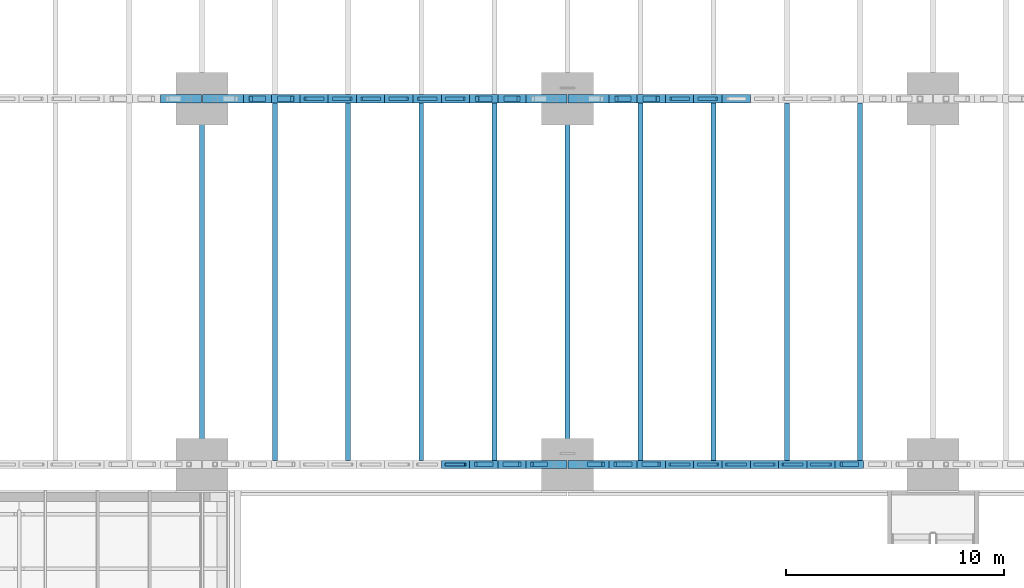
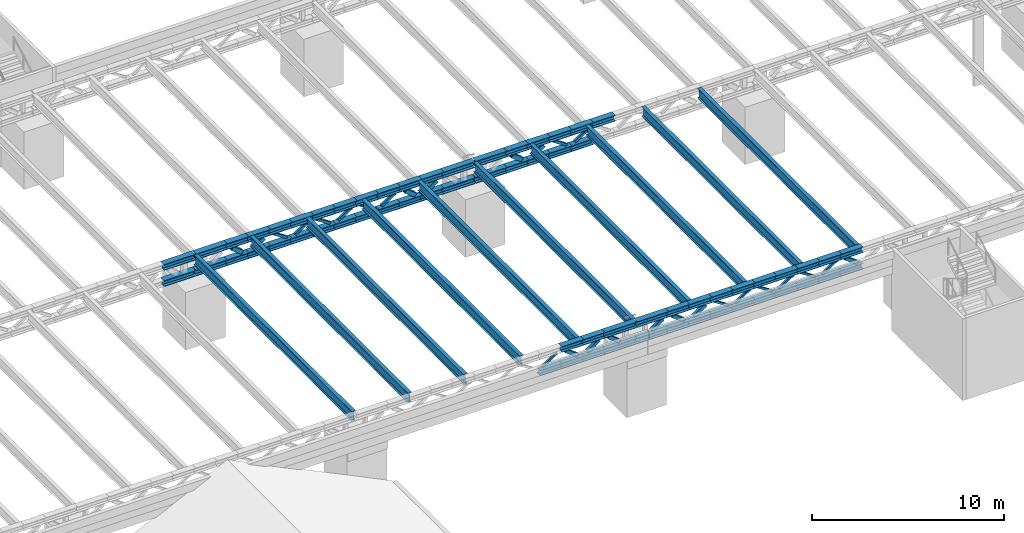
# One storey, part 24 of 93: 92 members, 10 beams.
"""IFC4 building model written with IfcOpenShell, lengths in metres."""

from ifc_helpers import new_model, si_unit, direction, frame, origin, origin_2d, place, context, subcontext, project, spatial, hollow_rectangle, i_section, extrude, material, material_profile, profile_set, type_object, element, save


model = new_model("IFC4")

# Units and contexts
model_context = context("Model", 3, precision=1e-05, world=origin(), true_north=direction((0.0, 1.0)))
body_context = subcontext(model_context, "Body", "Model", "MODEL_VIEW")
ifc_project = project(units=[si_unit("LENGTHUNIT", "METRE"), si_unit("AREAUNIT", "SQUARE_METRE"), si_unit("VOLUMEUNIT", "CUBIC_METRE"), si_unit("PLANEANGLEUNIT", "RADIAN"), si_unit("MASSUNIT", "GRAM", prefix="KILO")], contexts=[model_context])

# Site, building, storey
site_placement = place(None, origin())
site = spatial("IfcSite", under=ifc_project, at=site_placement, CompositionType="ELEMENT")
building_placement = place(site_placement, origin())
building = spatial("IfcBuilding", under=site, at=building_placement, Name="Verrick Yard Athletic Hall", CompositionType="ELEMENT")
storey_placement = place(building_placement, frame((0.0, 0.0, 8.800048828125)))
storey = spatial("IfcBuildingStorey", under=building, at=storey_placement, Name="L02", CompositionType="ELEMENT", Elevation=8.800048828125)

# Members
ifc_material_1 = material(Name="Structural steel 350W (CSA G40.21)", Category="steel")
ifc_material_profile_1 = material_profile(ifc_material_1, i_section(OverallWidth=0.368896484375, OverallDepth=0.35595703125, WebThickness=0.01123046875, FlangeThickness=0.01806640625, at=origin_2d()), Name="W360x134")
ifc_profile_set_1 = profile_set([ifc_material_profile_1], Name="Structural steel 350W (CSA G40.21)")
member_type_1 = type_object("IfcMemberType", Name="STR Edge truss bottom chord W360x134", PredefinedType="CHORD", material=ifc_profile_set_1)
for number, where, z_axis, x_axis, name in (
    (1, (118.199951171875, 19.199951171875, 3.827880859375), (1.0, 0.0, 0.0), (0.0, 1.0, 0.0), "STR-BC-GA5-9"),
    (2, (119.5, 19.199951171875, 3.827880859375), (1.0, 0.0, 0.0), (0.0, 1.0, 0.0), "STR-BC-GA5-10"),
    (3, (120.800048828125, 19.199951171875, 3.827880859375), (1.0, 0.0, 0.0), (0.0, 1.0, 0.0), "STR-BC-GA5-11"),
):
    element("IfcMember", number, at=place(storey_placement, frame(where, z_axis=z_axis, x_axis=x_axis)), inside=storey, type_object=member_type_1, Name=name, PredefinedType="CHORD", context=body_context, shape_type="SweptSolid", body=[
        extrude(i_section(OverallWidth=0.368896484375, OverallDepth=0.35595703125, WebThickness=0.01123046875, FlangeThickness=0.01806640625, at=origin_2d()), origin(), (0.0, 0.0, 1.0), 1.300048828125),
    ])
for number, where, z_axis, x_axis, name in (
    (4, (122.10009765625, 19.199951171875, 3.827880859375), (1.0, 0.0, 0.0), (0.0, 1.0, 0.0), "STR-BC-GA5-12"),
    (5, (124.02490234375, 19.199951171875, 3.827880859375), (1.0, 0.0, 0.0), (0.0, 1.0, 0.0), "STR-BC-GA6-1"),
):
    element("IfcMember", number, at=place(storey_placement, frame(where, z_axis=z_axis, x_axis=x_axis)), inside=storey, type_object=member_type_1, Name=name, PredefinedType="CHORD", context=body_context, shape_type="SweptSolid", body=[
        extrude(i_section(OverallWidth=0.368896484375, OverallDepth=0.35595703125, WebThickness=0.01123046875, FlangeThickness=0.01806640625, at=origin_2d()), origin(), (0.0, 0.0, 1.0), 1.875),
    ])
for number, where, z_axis, x_axis, name in (
    (6, (125.89990234375, 19.199951171875, 3.827880859375), (1.0, 0.0, 0.0), (0.0, 1.0, 0.0), "STR-BC-GA6-2"),
    (7, (127.199951171875, 19.199951171875, 3.827880859375), (1.0, 0.0, 0.0), (0.0, 1.0, 0.0), "STR-BC-GA6-3"),
    (8, (128.5, 19.199951171875, 3.827880859375), (1.0, 0.0, 0.0), (0.0, 1.0, 0.0), "STR-BC-GA6-4"),
    (9, (129.800048828125, 19.199951171875, 3.827880859375), (1.0, 0.0, 0.0), (0.0, 1.0, 0.0), "STR-BC-GA6-5"),
):
    element("IfcMember", number, at=place(storey_placement, frame(where, z_axis=z_axis, x_axis=x_axis)), inside=storey, type_object=member_type_1, Name=name, PredefinedType="CHORD", context=body_context, shape_type="SweptSolid", body=[
        extrude(i_section(OverallWidth=0.368896484375, OverallDepth=0.35595703125, WebThickness=0.01123046875, FlangeThickness=0.01806640625, at=origin_2d()), origin(), (0.0, 0.0, 1.0), 1.300048828125),
    ])
member_1_placement = place(storey_placement, frame((131.10009765625, 19.199951171875, 3.827880859375), z_axis=(1.0, 0.0, 0.0), x_axis=(0.0, 1.0, 0.0)))
element("IfcMember", 10, at=member_1_placement, inside=storey, type_object=member_type_1, Name="STR-BC-GA6-6", PredefinedType="CHORD", context=body_context, shape_type="SweptSolid", body=[
    extrude(i_section(OverallWidth=0.368896484375, OverallDepth=0.35595703125, WebThickness=0.01123046875, FlangeThickness=0.01806640625, at=origin_2d()), origin(), (0.0, 0.0, 1.0), 1.2998046875),
])
for number, where, z_axis, x_axis, name in (
    (11, (132.39990234375, 19.199951171875, 3.827880859375), (1.0, 0.0, 0.0), (0.0, 1.0, 0.0), "STR-BC-GA6-7"),
    (12, (133.699951171875, 19.199951171875, 3.827880859375), (1.0, 0.0, 0.0), (0.0, 1.0, 0.0), "STR-BC-GA6-8"),
    (13, (135.0, 19.199951171875, 3.827880859375), (1.0, 0.0, 0.0), (0.0, 1.0, 0.0), "STR-BC-GA6-9"),
    (14, (136.300048828125, 19.199951171875, 3.827880859375), (1.0, 0.0, 0.0), (0.0, 1.0, 0.0), "STR-BC-GA6-10"),
):
    element("IfcMember", number, at=place(storey_placement, frame(where, z_axis=z_axis, x_axis=x_axis)), inside=storey, type_object=member_type_1, Name=name, PredefinedType="CHORD", context=body_context, shape_type="SweptSolid", body=[
        extrude(i_section(OverallWidth=0.368896484375, OverallDepth=0.35595703125, WebThickness=0.01123046875, FlangeThickness=0.01806640625, at=origin_2d()), origin(), (0.0, 0.0, 1.0), 1.300048828125),
    ])
ifc_material_profile_2 = material_profile(ifc_material_1, i_section(OverallWidth=0.368896484375, OverallDepth=0.35595703125, WebThickness=0.01123046875, FlangeThickness=0.01806640625, at=origin_2d()), Name="W360x134")
ifc_profile_set_2 = profile_set([ifc_material_profile_2], Name="Structural steel 350W (CSA G40.21)")
member_type_2 = type_object("IfcMemberType", Name="STR Edge truss top chord W360x134", PredefinedType="CHORD", material=ifc_profile_set_2)
for number, where, z_axis, x_axis, name in (
    (15, (119.5, 19.199951171875, 4.8720703125), (1.0, 0.0, 0.0), (0.0, 1.0, 0.0), "STR-TC-GA5-10"),
    (16, (120.800048828125, 19.199951171875, 4.8720703125), (1.0, 0.0, 0.0), (0.0, 1.0, 0.0), "STR-TC-GA5-11"),
):
    element("IfcMember", number, at=place(storey_placement, frame(where, z_axis=z_axis, x_axis=x_axis)), inside=storey, type_object=member_type_2, Name=name, PredefinedType="CHORD", context=body_context, shape_type="SweptSolid", body=[
        extrude(i_section(OverallWidth=0.368896484375, OverallDepth=0.35595703125, WebThickness=0.01123046875, FlangeThickness=0.01806640625, at=origin_2d()), origin(), (0.0, 0.0, 1.0), 1.300048828125),
    ])
for number, where, z_axis, x_axis, name in (
    (17, (122.10009765625, 19.199951171875, 4.8720703125), (1.0, 0.0, 0.0), (0.0, 1.0, 0.0), "STR-TC-GA5-12"),
    (18, (124.02490234375, 19.199951171875, 4.8720703125), (1.0, 0.0, 0.0), (0.0, 1.0, 0.0), "STR-TC-GA6-1"),
):
    element("IfcMember", number, at=place(storey_placement, frame(where, z_axis=z_axis, x_axis=x_axis)), inside=storey, type_object=member_type_2, Name=name, PredefinedType="CHORD", context=body_context, shape_type="SweptSolid", body=[
        extrude(i_section(OverallWidth=0.368896484375, OverallDepth=0.35595703125, WebThickness=0.01123046875, FlangeThickness=0.01806640625, at=origin_2d()), origin(), (0.0, 0.0, 1.0), 1.875),
    ])
for number, where, z_axis, x_axis, name in (
    (19, (125.89990234375, 19.199951171875, 4.8720703125), (1.0, 0.0, 0.0), (0.0, 1.0, 0.0), "STR-TC-GA6-2"),
    (20, (127.199951171875, 19.199951171875, 4.8720703125), (1.0, 0.0, 0.0), (0.0, 1.0, 0.0), "STR-TC-GA6-3"),
    (21, (128.5, 19.199951171875, 4.8720703125), (1.0, 0.0, 0.0), (0.0, 1.0, 0.0), "STR-TC-GA6-4"),
    (22, (129.800048828125, 19.199951171875, 4.8720703125), (1.0, 0.0, 0.0), (0.0, 1.0, 0.0), "STR-TC-GA6-5"),
):
    element("IfcMember", number, at=place(storey_placement, frame(where, z_axis=z_axis, x_axis=x_axis)), inside=storey, type_object=member_type_2, Name=name, PredefinedType="CHORD", context=body_context, shape_type="SweptSolid", body=[
        extrude(i_section(OverallWidth=0.368896484375, OverallDepth=0.35595703125, WebThickness=0.01123046875, FlangeThickness=0.01806640625, at=origin_2d()), origin(), (0.0, 0.0, 1.0), 1.300048828125),
    ])
member_2_placement = place(storey_placement, frame((131.10009765625, 19.199951171875, 4.8720703125), z_axis=(1.0, 0.0, 0.0), x_axis=(0.0, 1.0, 0.0)))
element("IfcMember", 23, at=member_2_placement, inside=storey, type_object=member_type_2, Name="STR-TC-GA6-6", PredefinedType="CHORD", context=body_context, shape_type="SweptSolid", body=[
    extrude(i_section(OverallWidth=0.368896484375, OverallDepth=0.35595703125, WebThickness=0.01123046875, FlangeThickness=0.01806640625, at=origin_2d()), origin(), (0.0, 0.0, 1.0), 1.2998046875),
])
for number, where, z_axis, x_axis, name in (
    (24, (132.39990234375, 19.199951171875, 4.8720703125), (1.0, 0.0, 0.0), (0.0, 1.0, 0.0), "STR-TC-GA6-7"),
    (25, (133.699951171875, 19.199951171875, 4.8720703125), (1.0, 0.0, 0.0), (0.0, 1.0, 0.0), "STR-TC-GA6-8"),
    (26, (135.0, 19.199951171875, 4.8720703125), (1.0, 0.0, 0.0), (0.0, 1.0, 0.0), "STR-TC-GA6-9"),
    (27, (136.300048828125, 19.199951171875, 4.8720703125), (1.0, 0.0, 0.0), (0.0, 1.0, 0.0), "STR-TC-GA6-10"),
):
    element("IfcMember", number, at=place(storey_placement, frame(where, z_axis=z_axis, x_axis=x_axis)), inside=storey, type_object=member_type_2, Name=name, PredefinedType="CHORD", context=body_context, shape_type="SweptSolid", body=[
        extrude(i_section(OverallWidth=0.368896484375, OverallDepth=0.35595703125, WebThickness=0.01123046875, FlangeThickness=0.01806640625, at=origin_2d()), origin(), (0.0, 0.0, 1.0), 1.300048828125),
    ])
ifc_material_2 = material(Name="Structural steel HSS Class C 350W (CSA G40.20/G40.21)", Category="steel")
ifc_material_profile_3 = material_profile(ifc_material_2, hollow_rectangle(XDim=0.126953125, YDim=0.126953125, WallThickness=0.009521484375, at=origin_2d()), Name="HSS127x127x9.5")
ifc_profile_set_3 = profile_set([ifc_material_profile_3], Name="Structural steel HSS Class C 350W (CSA G40.20/G40.21)")
member_type_3 = type_object("IfcMemberType", Name="STR Edge truss web HSS127x127x9.5", PredefinedType="BRACE", material=ifc_profile_set_3)
for number, where, z_axis, x_axis, name in (
    (28, (118.40234375, 19.199951171875, 4.05859375), (0.838083139624, 0.0, 0.54554252912), (0.0, 1.0, 0.0), "STR-TW-GA5-9"),
    (29, (128.702392578125, 19.199951171875, 4.641357421875), (0.838083139624, 0.0, -0.54554252912), (0.0, 1.0, 0.0), "STR-TW-GA6-4"),
    (30, (130.00244140625, 19.199951171875, 4.05859375), (0.838083139624, 0.0, 0.54554252912), (0.0, 1.0, 0.0), "STR-TW-GA6-5"),
):
    element("IfcMember", number, at=place(storey_placement, frame(where, z_axis=z_axis, x_axis=x_axis)), inside=storey, type_object=member_type_3, Name=name, PredefinedType="BRACE", context=body_context, shape_type="SweptSolid", body=[
        extrude(hollow_rectangle(XDim=0.126953125, YDim=0.126953125, WallThickness=0.009521484375, at=origin_2d()), origin(), (0.0, 0.0, 1.0), 1.068115234375),
    ])
member_3_placement = place(storey_placement, frame((131.30224609375, 19.199951171875, 4.641357421875), z_axis=(0.838151139583, 0.0, -0.545438050759), x_axis=(0.0, 1.0, 0.0)))
element("IfcMember", 31, at=member_3_placement, inside=storey, type_object=member_type_3, Name="STR-TW-GA6-6", PredefinedType="BRACE", context=body_context, shape_type="SweptSolid", body=[
    extrude(hollow_rectangle(XDim=0.126953125, YDim=0.126953125, WallThickness=0.009521484375, at=origin_2d()), origin(), (0.0, 0.0, 1.0), 1.068359375),
])
for number, where, z_axis, x_axis, name in (
    (32, (132.602294921875, 19.199951171875, 4.05859375), (0.838083139624, 0.0, 0.54554252912), (0.0, 1.0, 0.0), "STR-TW-GA6-7"),
    (33, (133.90234375, 19.199951171875, 4.641357421875), (0.838083139624, 0.0, -0.54554252912), (0.0, 1.0, 0.0), "STR-TW-GA6-8"),
    (34, (135.202392578125, 19.199951171875, 4.05859375), (0.838083139624, 0.0, 0.54554252912), (0.0, 1.0, 0.0), "STR-TW-GA6-9"),
):
    element("IfcMember", number, at=place(storey_placement, frame(where, z_axis=z_axis, x_axis=x_axis)), inside=storey, type_object=member_type_3, Name=name, PredefinedType="BRACE", context=body_context, shape_type="SweptSolid", body=[
        extrude(hollow_rectangle(XDim=0.126953125, YDim=0.126953125, WallThickness=0.009521484375, at=origin_2d()), origin(), (0.0, 0.0, 1.0), 1.068115234375),
    ])
ifc_material_profile_4 = material_profile(ifc_material_2, hollow_rectangle(XDim=0.203125, YDim=0.203125, WallThickness=0.0126953125, at=origin_2d()), Name="HSS203x203x13")
ifc_profile_set_4 = profile_set([ifc_material_profile_4], Name="Structural steel HSS Class C 350W (CSA G40.20/G40.21)")
member_type_4 = type_object("IfcMemberType", Name="STR Edge truss web HSS203x203x13", PredefinedType="BRACE", material=ifc_profile_set_4)
member_4_placement = place(storey_placement, frame((119.78955078125, 19.199951171875, 4.6123046875), z_axis=(0.808428172865, 0.0, -0.588594843095), x_axis=(0.0, 1.0, 0.0)))
element("IfcMember", 35, at=member_4_placement, inside=storey, type_object=member_type_4, Name="STR-TW-GA5-10", PredefinedType="BRACE", context=body_context, shape_type="SweptSolid", body=[
    extrude(hollow_rectangle(XDim=0.203125, YDim=0.203125, WallThickness=0.0126953125, at=origin_2d()), origin(), (0.0, 0.0, 1.0), 0.891845703125),
])
member_5_placement = place(storey_placement, frame((121.089599609375, 19.199951171875, 4.08740234375), z_axis=(0.808333297144, 0.0, 0.588725131728), x_axis=(0.0, 1.0, 0.0)))
element("IfcMember", 36, at=member_5_placement, inside=storey, type_object=member_type_4, Name="STR-TW-GA5-11", PredefinedType="BRACE", context=body_context, shape_type="SweptSolid", body=[
    extrude(hollow_rectangle(XDim=0.203125, YDim=0.203125, WallThickness=0.0126953125, at=origin_2d()), origin(), (0.0, 0.0, 1.0), 0.8916015625),
])
for number, where, z_axis, x_axis, name in (
    (37, (122.36572265625, 19.199951171875, 4.615234375), (0.780391329508, 0.0, -0.625291430318), (0.0, 1.0, 0.0), "STR-TW-GA5-12"),
    (38, (124.97216796875, 19.199951171875, 4.084716796875), (0.780391329508, 0.0, 0.625291430318), (0.0, 1.0, 0.0), "STR-TW-GA6-1"),
):
    element("IfcMember", number, at=place(storey_placement, frame(where, z_axis=z_axis, x_axis=x_axis)), inside=storey, type_object=member_type_4, Name=name, PredefinedType="BRACE", context=body_context, shape_type="SweptSolid", body=[
        extrude(hollow_rectangle(XDim=0.203125, YDim=0.203125, WallThickness=0.0126953125, at=origin_2d()), origin(), (0.0, 0.0, 1.0), 0.848388671875),
    ])
member_6_placement = place(storey_placement, frame((126.189697265625, 19.199951171875, 4.6123046875), z_axis=(0.808333297144, 0.0, -0.588725131728), x_axis=(0.0, 1.0, 0.0)))
element("IfcMember", 39, at=member_6_placement, inside=storey, type_object=member_type_4, Name="STR-TW-GA6-2", PredefinedType="BRACE", context=body_context, shape_type="SweptSolid", body=[
    extrude(hollow_rectangle(XDim=0.203125, YDim=0.203125, WallThickness=0.0126953125, at=origin_2d()), origin(), (0.0, 0.0, 1.0), 0.8916015625),
])
member_7_placement = place(storey_placement, frame((127.489501953125, 19.199951171875, 4.08740234375), z_axis=(0.808428172865, 0.0, 0.588594843095), x_axis=(0.0, 1.0, 0.0)))
element("IfcMember", 40, at=member_7_placement, inside=storey, type_object=member_type_4, Name="STR-TW-GA6-3", PredefinedType="BRACE", context=body_context, shape_type="SweptSolid", body=[
    extrude(hollow_rectangle(XDim=0.203125, YDim=0.203125, WallThickness=0.0126953125, at=origin_2d()), origin(), (0.0, 0.0, 1.0), 0.891845703125),
])
member_8_placement = place(storey_placement, frame((136.589599609375, 19.199951171875, 4.6123046875), z_axis=(0.808333297144, 0.0, -0.588725131728), x_axis=(0.0, 1.0, 0.0)))
element("IfcMember", 41, at=member_8_placement, inside=storey, type_object=member_type_4, Name="STR-TW-GA6-10", PredefinedType="BRACE", context=body_context, shape_type="SweptSolid", body=[
    extrude(hollow_rectangle(XDim=0.203125, YDim=0.203125, WallThickness=0.0126953125, at=origin_2d()), origin(), (0.0, 0.0, 1.0), 0.8916015625),
])

# Beams
ifc_material_profile_5 = material_profile(ifc_material_1, i_section(OverallWidth=0.22802734375, OverallDepth=0.60791015625, WebThickness=0.01123046875, FlangeThickness=0.017333984375, at=origin_2d()), Name="W610x113")
ifc_profile_set_5 = profile_set([ifc_material_profile_5], Name="Structural steel 350W (CSA G40.21)")
beam_type = type_object("IfcBeamType", Name="STR Secondary beam W610x113", PredefinedType="BEAM", material=ifc_profile_set_5)
for number, where, z_axis, x_axis, name in (
    (42, (110.56005859375, 19.384521484375, 4.745849609375), (0.0, 1.0, 0.0), (-1.0, 0.0, 0.0), "STR-SB-S151"),
    (43, (113.919921875, 19.384521484375, 4.745849609375), (0.0, 1.0, 0.0), (-1.0, 0.0, 0.0), "STR-SB-S152"),
    (44, (117.280029296875, 19.384521484375, 4.745849609375), (0.0, 1.0, 0.0), (-1.0, 0.0, 0.0), "STR-SB-S153"),
    (45, (120.639892578125, 19.384521484375, 4.745849609375), (0.0, 1.0, 0.0), (-1.0, 0.0, 0.0), "STR-SB-S154"),
    (46, (127.360107421875, 19.384521484375, 4.745849609375), (0.0, 1.0, 0.0), (-1.0, 0.0, 0.0), "STR-SB-S161"),
    (47, (130.719970703125, 19.384521484375, 4.745849609375), (0.0, 1.0, 0.0), (-1.0, 0.0, 0.0), "STR-SB-S162"),
    (48, (134.080078125, 19.384521484375, 4.745849609375), (0.0, 1.0, 0.0), (-1.0, 0.0, 0.0), "STR-SB-S163"),
    (49, (137.43994140625, 19.384521484375, 4.745849609375), (0.0, 1.0, 0.0), (-1.0, 0.0, 0.0), "STR-SB-S164"),
    (50, (107.199951171875, 19.384521484375, 4.745849609375), (0.0, 1.0, 0.0), (-1.0, 0.0, 0.0), "STR-SB-X5A"),
    (51, (124.0, 19.384521484375, 4.745849609375), (0.0, 1.0, 0.0), (-1.0, 0.0, 0.0), "STR-SB-X6A"),
):
    element("IfcBeam", number, at=place(storey_placement, frame(where, z_axis=z_axis, x_axis=x_axis)), inside=storey, type_object=beam_type, Name=name, PredefinedType="BEAM", context=body_context, shape_type="SweptSolid", body=[
        extrude(i_section(OverallWidth=0.22802734375, OverallDepth=0.60791015625, WebThickness=0.01123046875, FlangeThickness=0.017333984375, at=origin_2d()), origin(), (0.0, 0.0, 1.0), 16.428466796875),
    ])

# Members
ifc_material_profile_6 = material_profile(ifc_material_1, i_section(OverallWidth=0.3740234375, OverallDepth=0.3720703125, WebThickness=0.016357421875, FlangeThickness=0.026123046875, at=origin_2d()), Name="W360x196")
ifc_profile_set_6 = profile_set([ifc_material_profile_6], Name="Structural steel 350W (CSA G40.21)")
member_type_5 = type_object("IfcMemberType", Name="STR Truss bottom chord W360x196", PredefinedType="CHORD", material=ifc_profile_set_6)
for number, where, z_axis, x_axis, name in (
    (52, (105.300048828125, 36.0, 3.8359375), (1.0, 0.0, 0.0), (0.0, 1.0, 0.0), "STR-BC-GB4-12"),
    (53, (107.22509765625, 36.0, 3.8359375), (1.0, 0.0, 0.0), (0.0, 1.0, 0.0), "STR-BC-GB5-1"),
):
    element("IfcMember", number, at=place(storey_placement, frame(where, z_axis=z_axis, x_axis=x_axis)), inside=storey, type_object=member_type_5, Name=name, PredefinedType="CHORD", context=body_context, shape_type="SweptSolid", body=[
        extrude(i_section(OverallWidth=0.3740234375, OverallDepth=0.3720703125, WebThickness=0.016357421875, FlangeThickness=0.026123046875, at=origin_2d()), origin(), (0.0, 0.0, 1.0), 1.875),
    ])
member_9_placement = place(storey_placement, frame((109.10009765625, 36.0, 3.8359375), z_axis=(1.0, 0.0, 0.0), x_axis=(0.0, 1.0, 0.0)))
element("IfcMember", 54, at=member_9_placement, inside=storey, type_object=member_type_5, Name="STR-BC-GB5-2", PredefinedType="CHORD", context=body_context, shape_type="SweptSolid", body=[
    extrude(i_section(OverallWidth=0.3740234375, OverallDepth=0.3720703125, WebThickness=0.016357421875, FlangeThickness=0.026123046875, at=origin_2d()), origin(), (0.0, 0.0, 1.0), 1.2998046875),
])
for number, where, z_axis, x_axis, name in (
    (55, (110.39990234375, 36.0, 3.8359375), (1.0, 0.0, 0.0), (0.0, 1.0, 0.0), "STR-BC-GB5-3"),
    (56, (111.699951171875, 36.0, 3.8359375), (1.0, 0.0, 0.0), (0.0, 1.0, 0.0), "STR-BC-GB5-4"),
    (57, (113.0, 36.0, 3.8359375), (1.0, 0.0, 0.0), (0.0, 1.0, 0.0), "STR-BC-GB5-5"),
    (58, (114.300048828125, 36.0, 3.8359375), (1.0, 0.0, 0.0), (0.0, 1.0, 0.0), "STR-BC-GB5-6"),
):
    element("IfcMember", number, at=place(storey_placement, frame(where, z_axis=z_axis, x_axis=x_axis)), inside=storey, type_object=member_type_5, Name=name, PredefinedType="CHORD", context=body_context, shape_type="SweptSolid", body=[
        extrude(i_section(OverallWidth=0.3740234375, OverallDepth=0.3720703125, WebThickness=0.016357421875, FlangeThickness=0.026123046875, at=origin_2d()), origin(), (0.0, 0.0, 1.0), 1.300048828125),
    ])
member_10_placement = place(storey_placement, frame((115.60009765625, 36.0, 3.8359375), z_axis=(1.0, 0.0, 0.0), x_axis=(0.0, 1.0, 0.0)))
element("IfcMember", 59, at=member_10_placement, inside=storey, type_object=member_type_5, Name="STR-BC-GB5-7", PredefinedType="CHORD", context=body_context, shape_type="SweptSolid", body=[
    extrude(i_section(OverallWidth=0.3740234375, OverallDepth=0.3720703125, WebThickness=0.016357421875, FlangeThickness=0.026123046875, at=origin_2d()), origin(), (0.0, 0.0, 1.0), 1.2998046875),
])
for number, where, z_axis, x_axis, name in (
    (60, (116.89990234375, 36.0, 3.8359375), (1.0, 0.0, 0.0), (0.0, 1.0, 0.0), "STR-BC-GB5-8"),
    (61, (118.199951171875, 36.0, 3.8359375), (1.0, 0.0, 0.0), (0.0, 1.0, 0.0), "STR-BC-GB5-9"),
    (62, (119.5, 36.0, 3.8359375), (1.0, 0.0, 0.0), (0.0, 1.0, 0.0), "STR-BC-GB5-10"),
    (63, (120.800048828125, 36.0, 3.8359375), (1.0, 0.0, 0.0), (0.0, 1.0, 0.0), "STR-BC-GB5-11"),
):
    element("IfcMember", number, at=place(storey_placement, frame(where, z_axis=z_axis, x_axis=x_axis)), inside=storey, type_object=member_type_5, Name=name, PredefinedType="CHORD", context=body_context, shape_type="SweptSolid", body=[
        extrude(i_section(OverallWidth=0.3740234375, OverallDepth=0.3720703125, WebThickness=0.016357421875, FlangeThickness=0.026123046875, at=origin_2d()), origin(), (0.0, 0.0, 1.0), 1.300048828125),
    ])
for number, where, z_axis, x_axis, name in (
    (64, (122.10009765625, 36.0, 3.8359375), (1.0, 0.0, 0.0), (0.0, 1.0, 0.0), "STR-BC-GB5-12"),
    (65, (124.02490234375, 36.0, 3.8359375), (1.0, 0.0, 0.0), (0.0, 1.0, 0.0), "STR-BC-GB6-1"),
):
    element("IfcMember", number, at=place(storey_placement, frame(where, z_axis=z_axis, x_axis=x_axis)), inside=storey, type_object=member_type_5, Name=name, PredefinedType="CHORD", context=body_context, shape_type="SweptSolid", body=[
        extrude(i_section(OverallWidth=0.3740234375, OverallDepth=0.3720703125, WebThickness=0.016357421875, FlangeThickness=0.026123046875, at=origin_2d()), origin(), (0.0, 0.0, 1.0), 1.875),
    ])
for number, where, z_axis, x_axis, name in (
    (66, (125.89990234375, 36.0, 3.8359375), (1.0, 0.0, 0.0), (0.0, 1.0, 0.0), "STR-BC-GB6-2"),
    (67, (127.199951171875, 36.0, 3.8359375), (1.0, 0.0, 0.0), (0.0, 1.0, 0.0), "STR-BC-GB6-3"),
    (68, (128.5, 36.0, 3.8359375), (1.0, 0.0, 0.0), (0.0, 1.0, 0.0), "STR-BC-GB6-4"),
    (69, (129.800048828125, 36.0, 3.8359375), (1.0, 0.0, 0.0), (0.0, 1.0, 0.0), "STR-BC-GB6-5"),
):
    element("IfcMember", number, at=place(storey_placement, frame(where, z_axis=z_axis, x_axis=x_axis)), inside=storey, type_object=member_type_5, Name=name, PredefinedType="CHORD", context=body_context, shape_type="SweptSolid", body=[
        extrude(i_section(OverallWidth=0.3740234375, OverallDepth=0.3720703125, WebThickness=0.016357421875, FlangeThickness=0.026123046875, at=origin_2d()), origin(), (0.0, 0.0, 1.0), 1.300048828125),
    ])
ifc_material_profile_7 = material_profile(ifc_material_1, i_section(OverallWidth=0.3740234375, OverallDepth=0.3720703125, WebThickness=0.016357421875, FlangeThickness=0.026123046875, at=origin_2d()), Name="W360x196")
ifc_profile_set_7 = profile_set([ifc_material_profile_7], Name="Structural steel 350W (CSA G40.21)")
member_type_6 = type_object("IfcMemberType", Name="STR Truss top chord W360x196", PredefinedType="CHORD", material=ifc_profile_set_7)
for number, where, z_axis, x_axis, name in (
    (70, (105.300048828125, 36.0, 4.864013671875), (1.0, 0.0, 0.0), (0.0, 1.0, 0.0), "STR-TC-GB4-12"),
    (71, (107.22509765625, 36.0, 4.864013671875), (1.0, 0.0, 0.0), (0.0, 1.0, 0.0), "STR-TC-GB5-1"),
):
    element("IfcMember", number, at=place(storey_placement, frame(where, z_axis=z_axis, x_axis=x_axis)), inside=storey, type_object=member_type_6, Name=name, PredefinedType="CHORD", context=body_context, shape_type="SweptSolid", body=[
        extrude(i_section(OverallWidth=0.3740234375, OverallDepth=0.3720703125, WebThickness=0.016357421875, FlangeThickness=0.026123046875, at=origin_2d()), origin(), (0.0, 0.0, 1.0), 1.875),
    ])
member_11_placement = place(storey_placement, frame((109.10009765625, 36.0, 4.864013671875), z_axis=(1.0, 0.0, 0.0), x_axis=(0.0, 1.0, 0.0)))
element("IfcMember", 72, at=member_11_placement, inside=storey, type_object=member_type_6, Name="STR-TC-GB5-2", PredefinedType="CHORD", context=body_context, shape_type="SweptSolid", body=[
    extrude(i_section(OverallWidth=0.3740234375, OverallDepth=0.3720703125, WebThickness=0.016357421875, FlangeThickness=0.026123046875, at=origin_2d()), origin(), (0.0, 0.0, 1.0), 1.2998046875),
])
for number, where, z_axis, x_axis, name in (
    (73, (110.39990234375, 36.0, 4.864013671875), (1.0, 0.0, 0.0), (0.0, 1.0, 0.0), "STR-TC-GB5-3"),
    (74, (111.699951171875, 36.0, 4.864013671875), (1.0, 0.0, 0.0), (0.0, 1.0, 0.0), "STR-TC-GB5-4"),
    (75, (113.0, 36.0, 4.864013671875), (1.0, 0.0, 0.0), (0.0, 1.0, 0.0), "STR-TC-GB5-5"),
    (76, (114.300048828125, 36.0, 4.864013671875), (1.0, 0.0, 0.0), (0.0, 1.0, 0.0), "STR-TC-GB5-6"),
):
    element("IfcMember", number, at=place(storey_placement, frame(where, z_axis=z_axis, x_axis=x_axis)), inside=storey, type_object=member_type_6, Name=name, PredefinedType="CHORD", context=body_context, shape_type="SweptSolid", body=[
        extrude(i_section(OverallWidth=0.3740234375, OverallDepth=0.3720703125, WebThickness=0.016357421875, FlangeThickness=0.026123046875, at=origin_2d()), origin(), (0.0, 0.0, 1.0), 1.300048828125),
    ])
member_12_placement = place(storey_placement, frame((115.60009765625, 36.0, 4.864013671875), z_axis=(1.0, 0.0, 0.0), x_axis=(0.0, 1.0, 0.0)))
element("IfcMember", 77, at=member_12_placement, inside=storey, type_object=member_type_6, Name="STR-TC-GB5-7", PredefinedType="CHORD", context=body_context, shape_type="SweptSolid", body=[
    extrude(i_section(OverallWidth=0.3740234375, OverallDepth=0.3720703125, WebThickness=0.016357421875, FlangeThickness=0.026123046875, at=origin_2d()), origin(), (0.0, 0.0, 1.0), 1.2998046875),
])
for number, where, z_axis, x_axis, name in (
    (78, (116.89990234375, 36.0, 4.864013671875), (1.0, 0.0, 0.0), (0.0, 1.0, 0.0), "STR-TC-GB5-8"),
    (79, (118.199951171875, 36.0, 4.864013671875), (1.0, 0.0, 0.0), (0.0, 1.0, 0.0), "STR-TC-GB5-9"),
    (80, (119.5, 36.0, 4.864013671875), (1.0, 0.0, 0.0), (0.0, 1.0, 0.0), "STR-TC-GB5-10"),
    (81, (120.800048828125, 36.0, 4.864013671875), (1.0, 0.0, 0.0), (0.0, 1.0, 0.0), "STR-TC-GB5-11"),
):
    element("IfcMember", number, at=place(storey_placement, frame(where, z_axis=z_axis, x_axis=x_axis)), inside=storey, type_object=member_type_6, Name=name, PredefinedType="CHORD", context=body_context, shape_type="SweptSolid", body=[
        extrude(i_section(OverallWidth=0.3740234375, OverallDepth=0.3720703125, WebThickness=0.016357421875, FlangeThickness=0.026123046875, at=origin_2d()), origin(), (0.0, 0.0, 1.0), 1.300048828125),
    ])
for number, where, z_axis, x_axis, name in (
    (82, (122.10009765625, 36.0, 4.864013671875), (1.0, 0.0, 0.0), (0.0, 1.0, 0.0), "STR-TC-GB5-12"),
    (83, (124.02490234375, 36.0, 4.864013671875), (1.0, 0.0, 0.0), (0.0, 1.0, 0.0), "STR-TC-GB6-1"),
):
    element("IfcMember", number, at=place(storey_placement, frame(where, z_axis=z_axis, x_axis=x_axis)), inside=storey, type_object=member_type_6, Name=name, PredefinedType="CHORD", context=body_context, shape_type="SweptSolid", body=[
        extrude(i_section(OverallWidth=0.3740234375, OverallDepth=0.3720703125, WebThickness=0.016357421875, FlangeThickness=0.026123046875, at=origin_2d()), origin(), (0.0, 0.0, 1.0), 1.875),
    ])
for number, where, z_axis, x_axis, name in (
    (84, (125.89990234375, 36.0, 4.864013671875), (1.0, 0.0, 0.0), (0.0, 1.0, 0.0), "STR-TC-GB6-2"),
    (85, (127.199951171875, 36.0, 4.864013671875), (1.0, 0.0, 0.0), (0.0, 1.0, 0.0), "STR-TC-GB6-3"),
    (86, (128.5, 36.0, 4.864013671875), (1.0, 0.0, 0.0), (0.0, 1.0, 0.0), "STR-TC-GB6-4"),
    (87, (129.800048828125, 36.0, 4.864013671875), (1.0, 0.0, 0.0), (0.0, 1.0, 0.0), "STR-TC-GB6-5"),
):
    element("IfcMember", number, at=place(storey_placement, frame(where, z_axis=z_axis, x_axis=x_axis)), inside=storey, type_object=member_type_6, Name=name, PredefinedType="CHORD", context=body_context, shape_type="SweptSolid", body=[
        extrude(i_section(OverallWidth=0.3740234375, OverallDepth=0.3720703125, WebThickness=0.016357421875, FlangeThickness=0.026123046875, at=origin_2d()), origin(), (0.0, 0.0, 1.0), 1.300048828125),
    ])
member_13_placement = place(storey_placement, frame((131.10009765625, 36.0, 4.864013671875), z_axis=(1.0, 0.0, 0.0), x_axis=(0.0, 1.0, 0.0)))
element("IfcMember", 88, at=member_13_placement, inside=storey, type_object=member_type_6, Name="STR-TC-GB6-6", PredefinedType="CHORD", context=body_context, shape_type="SweptSolid", body=[
    extrude(i_section(OverallWidth=0.3740234375, OverallDepth=0.3720703125, WebThickness=0.016357421875, FlangeThickness=0.026123046875, at=origin_2d()), origin(), (0.0, 0.0, 1.0), 1.2998046875),
])
ifc_material_profile_8 = material_profile(ifc_material_2, hollow_rectangle(XDim=0.15234375, YDim=0.15234375, WallThickness=0.009521484375, at=origin_2d()), Name="HSS152x152x9.5")
ifc_profile_set_8 = profile_set([ifc_material_profile_8], Name="Structural steel HSS Class C 350W (CSA G40.20/G40.21)")
member_type_7 = type_object("IfcMemberType", Name="STR Truss web HSS152x152x9.5", PredefinedType="BRACE", material=ifc_profile_set_8)
for number, where, z_axis, x_axis, name in (
    (89, (111.9423828125, 36.0, 4.614501953125), (0.838713241607, 0.0, -0.544573317701), (0.0, 1.0, 0.0), "STR-TW-GB5-4"),
    (90, (113.242431640625, 36.0, 4.085205078125), (0.838713241607, 0.0, 0.544573317701), (0.0, 1.0, 0.0), "STR-TW-GB5-5"),
):
    element("IfcMember", number, at=place(storey_placement, frame(where, z_axis=z_axis, x_axis=x_axis)), inside=storey, type_object=member_type_7, Name=name, PredefinedType="BRACE", context=body_context, shape_type="SweptSolid", body=[
        extrude(hollow_rectangle(XDim=0.15234375, YDim=0.15234375, WallThickness=0.009521484375, at=origin_2d()), origin(), (0.0, 0.0, 1.0), 0.971923828125),
    ])
for number, where, z_axis, x_axis, name in (
    (91, (114.54248046875, 36.0, 4.614501953125), (0.838638726033, 0.0, -0.544688064122), (0.0, 1.0, 0.0), "STR-TW-GB5-6"),
    (92, (115.842529296875, 36.0, 4.085205078125), (0.838638726033, 0.0, 0.544688064122), (0.0, 1.0, 0.0), "STR-TW-GB5-7"),
    (93, (117.142578125, 36.0, 4.614501953125), (0.838638726033, 0.0, -0.544688064122), (0.0, 1.0, 0.0), "STR-TW-GB5-8"),
):
    element("IfcMember", number, at=place(storey_placement, frame(where, z_axis=z_axis, x_axis=x_axis)), inside=storey, type_object=member_type_7, Name=name, PredefinedType="BRACE", context=body_context, shape_type="SweptSolid", body=[
        extrude(hollow_rectangle(XDim=0.15234375, YDim=0.15234375, WallThickness=0.009521484375, at=origin_2d()), origin(), (0.0, 0.0, 1.0), 0.9716796875),
    ])
for number, where, z_axis, x_axis, name in (
    (94, (118.4423828125, 36.0, 4.085205078125), (0.838713241607, 0.0, 0.544573317701), (0.0, 1.0, 0.0), "STR-TW-GB5-9"),
    (95, (128.742431640625, 36.0, 4.614501953125), (0.838713241607, 0.0, -0.544573317701), (0.0, 1.0, 0.0), "STR-TW-GB6-4"),
):
    element("IfcMember", number, at=place(storey_placement, frame(where, z_axis=z_axis, x_axis=x_axis)), inside=storey, type_object=member_type_7, Name=name, PredefinedType="BRACE", context=body_context, shape_type="SweptSolid", body=[
        extrude(hollow_rectangle(XDim=0.15234375, YDim=0.15234375, WallThickness=0.009521484375, at=origin_2d()), origin(), (0.0, 0.0, 1.0), 0.971923828125),
    ])
member_14_placement = place(storey_placement, frame((130.04248046875, 36.0, 4.085205078125), z_axis=(0.838638726033, 0.0, 0.544688064122), x_axis=(0.0, 1.0, 0.0)))
element("IfcMember", 96, at=member_14_placement, inside=storey, type_object=member_type_7, Name="STR-TW-GB6-5", PredefinedType="BRACE", context=body_context, shape_type="SweptSolid", body=[
    extrude(hollow_rectangle(XDim=0.15234375, YDim=0.15234375, WallThickness=0.009521484375, at=origin_2d()), origin(), (0.0, 0.0, 1.0), 0.9716796875),
])
ifc_material_profile_9 = material_profile(ifc_material_2, hollow_rectangle(XDim=0.25390625, YDim=0.25390625, WallThickness=0.0126953125, at=origin_2d()), Name="HSS254x254x13")
ifc_profile_set_9 = profile_set([ifc_material_profile_9], Name="Structural steel HSS Class C 350W (CSA G40.20/G40.21)")
member_type_8 = type_object("IfcMemberType", Name="STR Truss web HSS254x254x13", PredefinedType="BRACE", material=ifc_profile_set_9)
member_15_placement = place(storey_placement, frame((109.44921875, 36.0, 4.5771484375), z_axis=(0.797974617605, 0.0, -0.60269105656), x_axis=(0.0, 1.0, 0.0)))
element("IfcMember", 97, at=member_15_placement, inside=storey, type_object=member_type_8, Name="STR-TW-GB5-2", PredefinedType="BRACE", context=body_context, shape_type="SweptSolid", body=[
    extrude(hollow_rectangle(XDim=0.25390625, YDim=0.25390625, WallThickness=0.0126953125, at=origin_2d()), origin(), (0.0, 0.0, 1.0), 0.75390625),
])
for number, where, z_axis, x_axis, name in (
    (98, (110.7490234375, 36.0, 4.122802734375), (0.798092207374, 0.0, 0.602535333843), (0.0, 1.0, 0.0), "STR-TW-GB5-3"),
    (99, (119.84912109375, 36.0, 4.5771484375), (0.798092207374, 0.0, -0.602535333843), (0.0, 1.0, 0.0), "STR-TW-GB5-10"),
    (100, (121.149169921875, 36.0, 4.122802734375), (0.798092207374, 0.0, 0.602535333843), (0.0, 1.0, 0.0), "STR-TW-GB5-11"),
    (101, (126.2490234375, 36.0, 4.5771484375), (0.798092207374, 0.0, -0.602535333843), (0.0, 1.0, 0.0), "STR-TW-GB6-2"),
    (102, (127.549072265625, 36.0, 4.122802734375), (0.798092207374, 0.0, 0.602535333843), (0.0, 1.0, 0.0), "STR-TW-GB6-3"),
):
    element("IfcMember", number, at=place(storey_placement, frame(where, z_axis=z_axis, x_axis=x_axis)), inside=storey, type_object=member_type_8, Name=name, PredefinedType="BRACE", context=body_context, shape_type="SweptSolid", body=[
        extrude(hollow_rectangle(XDim=0.25390625, YDim=0.25390625, WallThickness=0.0126953125, at=origin_2d()), origin(), (0.0, 0.0, 1.0), 0.754150390625),
    ])

save(model, "model.ifc")
